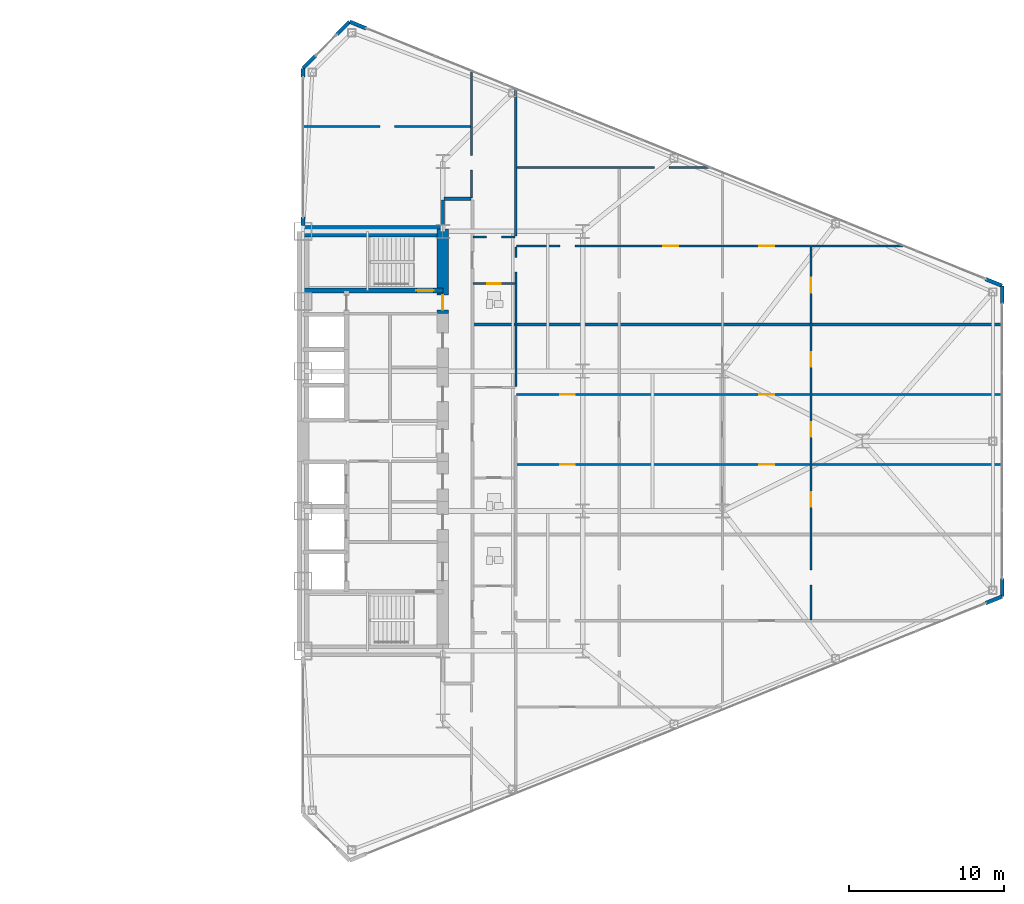
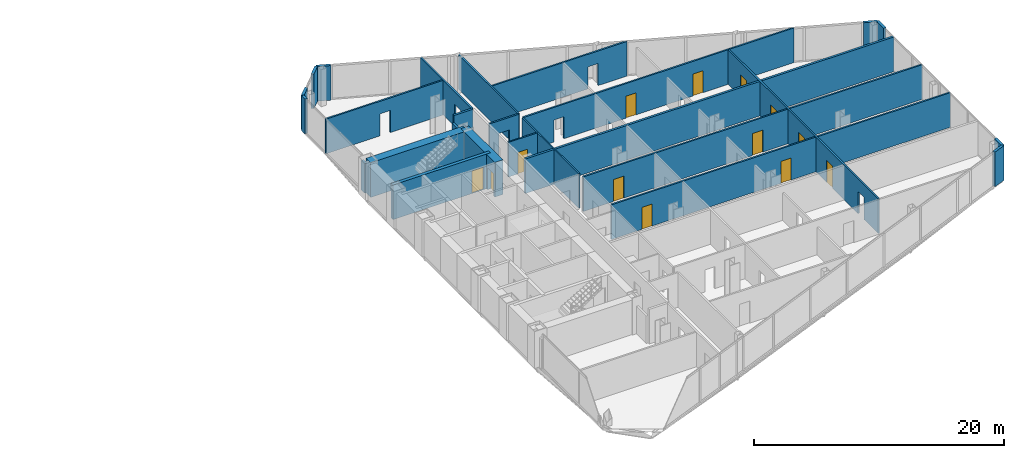
# One storey, part 22 of 25: 26 walls, 13 doors, 20 openings.
"""IFC4 building model written with IfcOpenShell, lengths in metres."""

from ifc_helpers import new_model, si_unit, direction, frame, frame_2d, origin, place, context, subcontext, project, spatial, rectangle, extrude, source, transform, mapped, material, layer, layer_set, type_object, type_shapes, element, fill, save


model = new_model("IFC4")

# Units and contexts
model_context = context("Model", 3, precision=1e-05, world=origin(), true_north=direction((0.0, 1.0)))
body_context = subcontext(model_context, "Body", "Model", "MODEL_VIEW")
ifc_project = project(units=[si_unit("LENGTHUNIT", "METRE"), si_unit("AREAUNIT", "SQUARE_METRE"), si_unit("VOLUMEUNIT", "CUBIC_METRE"), si_unit("PLANEANGLEUNIT", "RADIAN"), si_unit("MASSUNIT", "GRAM", prefix="KILO")], contexts=[model_context])

# Site, building, storey
site_placement = place(None, origin())
site = spatial("IfcSite", under=ifc_project, at=site_placement, CompositionType="ELEMENT")
building_placement = place(site_placement, origin())
building = spatial("IfcBuilding", under=site, at=building_placement, Name="Seokmaru Belvedere", CompositionType="ELEMENT")
storey_placement = place(building_placement, frame((0.0, 0.0, 29.699951171875)))
storey = spatial("IfcBuildingStorey", under=building, at=storey_placement, Name="L07", CompositionType="ELEMENT", Elevation=29.699951171875)

# Wall, openings, doors
ifc_material_1 = material(Name="Fire-Rated Gypsum Shaftwall")
ifc_layer_1 = layer(ifc_material_1, 0.14990234375)
ifc_layer_set_1 = layer_set([ifc_layer_1], Name="Fire-Rated Gypsum Shaftwall")
wall_type_1 = type_object("IfcWallType", Name="Apartment Fire-Acoustic Room Partition 150", PredefinedType="PARTITIONING", material=ifc_layer_set_1)
wall_1_placement = place(storey_placement, frame((41.25, -1.5, 0.0), z_axis=(0.0, 0.0, 1.0), x_axis=(1.0, 0.0, 0.0)))
wall_1 = element("IfcWall", 1, at=wall_1_placement, inside=storey, type_object=wall_type_1, Name="L07 Interior Partition 019", PredefinedType="PARTITIONING", context=body_context, shape_type="SweptSolid", body=[
    extrude(rectangle(XDim=31.284912109375, YDim=0.14990234375, at=frame_2d((15.642578125, 0.0))), origin(), (0.0, 0.0, 1.0), 3.380126953125),
])
opening_1_placement = place(wall_1_placement, frame((2.800048828125, 0.0, 0.0)))
opening_1 = element("IfcOpeningElement", 2, at=opening_1_placement, cuts=wall_1, Name="Opening D05", PredefinedType="OPENING", context=body_context, shape_type="SweptSolid", body=[
    extrude(rectangle(XDim=0.949951171875, YDim=2.14990234375, at=frame_2d((0.47509765625, 1.074951171875))), frame((0.0, 0.0849609375, 0.0), z_axis=(0.0, -1.0, 0.0), x_axis=(1.0, 0.0, 0.0)), (0.0, 0.0, 1.0), 0.169921875),
])
opening_2_placement = place(wall_1_placement, frame((15.625, 0.0, 0.0)))
opening_2 = element("IfcOpeningElement", 3, at=opening_2_placement, cuts=wall_1, Name="Opening D05", PredefinedType="OPENING", context=body_context, shape_type="SweptSolid", body=[
    extrude(rectangle(XDim=0.949951171875, YDim=2.14990234375, at=frame_2d((0.47509765625, 1.074951171875))), frame((0.0, 0.0849609375, 0.0), z_axis=(0.0, -1.0, 0.0), x_axis=(1.0, 0.0, 0.0)), (0.0, 0.0, 1.0), 0.169921875),
])
ifc_material_2 = material(Name="Engineered White Oak Timber", Category="wood")
door_type_1 = type_object("IfcDoorType", Name="Apartment Interior Fire-Rated Oak Door 950x2150", OperationType="NOTDEFINED", PredefinedType="DOOR", material=ifc_material_2)
shared_shape_1 = source(origin(), body_context, "Body", "SweptSolid", [
    extrude(rectangle(XDim=0.949951171875, YDim=2.14990234375, at=frame_2d((0.47509765625, 1.074951171875))), frame((0.0, 0.02490234375, 0.0), z_axis=(0.0, -1.0, 0.0), x_axis=(1.0, 0.0, 0.0)), (0.0, 0.0, 1.0), 0.050048828125),
])
type_shapes(door_type_1, [shared_shape_1])
door_1_placement = place(opening_1_placement, origin())
door_1 = element("IfcDoor", 4, at=door_1_placement, inside=storey, type_object=door_type_1, Name="L07 Interior Door 055", OperationType="SINGLE_SWING_RIGHT", OverallHeight=2.14990234375, OverallWidth=0.949951171875, PredefinedType="DOOR", context=body_context, shape_type="MappedRepresentation", body=[
    mapped(shared_shape_1, transform((0.0, 0.0, 0.0), scale=1.0)),
])
fill(opening_1, door_1)
door_2_placement = place(opening_2_placement, origin())
door_2 = element("IfcDoor", 5, at=door_2_placement, inside=storey, type_object=door_type_1, Name="L07 Interior Door 059", OperationType="SINGLE_SWING_RIGHT", OverallHeight=2.14990234375, OverallWidth=0.949951171875, PredefinedType="DOOR", context=body_context, shape_type="MappedRepresentation", body=[
    mapped(shared_shape_1, transform((0.0, 0.0, 0.0), scale=1.0)),
])
fill(opening_2, door_2)

wall_2_placement = place(storey_placement, frame((41.25, 3.0, 0.0), z_axis=(0.0, 0.0, 1.0), x_axis=(1.0, 0.0, 0.0)))
wall_2 = element("IfcWall", 6, at=wall_2_placement, inside=storey, type_object=wall_type_1, Name="L07 Interior Partition 021", PredefinedType="PARTITIONING", context=body_context, shape_type="SweptSolid", body=[
    extrude(rectangle(XDim=31.284912109375, YDim=0.14990234375, at=frame_2d((15.642578125, 0.0))), origin(), (0.0, 0.0, 1.0), 3.380126953125),
])
opening_3_placement = place(wall_2_placement, frame((2.800048828125, 0.0, 0.0)))
opening_3 = element("IfcOpeningElement", 7, at=opening_3_placement, cuts=wall_2, Name="Opening D05", PredefinedType="OPENING", context=body_context, shape_type="SweptSolid", body=[
    extrude(rectangle(XDim=0.949951171875, YDim=2.14990234375, at=frame_2d((0.47509765625, 1.074951171875))), frame((0.0, 0.0849609375, 0.0), z_axis=(0.0, -1.0, 0.0), x_axis=(1.0, 0.0, 0.0)), (0.0, 0.0, 1.0), 0.169921875),
])
opening_4_placement = place(wall_2_placement, frame((15.625, 0.0, 0.0)))
opening_4 = element("IfcOpeningElement", 8, at=opening_4_placement, cuts=wall_2, Name="Opening D05", PredefinedType="OPENING", context=body_context, shape_type="SweptSolid", body=[
    extrude(rectangle(XDim=0.949951171875, YDim=2.14990234375, at=frame_2d((0.47509765625, 1.074951171875))), frame((0.0, 0.0849609375, 0.0), z_axis=(0.0, -1.0, 0.0), x_axis=(1.0, 0.0, 0.0)), (0.0, 0.0, 1.0), 0.169921875),
])
door_3_placement = place(opening_3_placement, origin())
door_3 = element("IfcDoor", 9, at=door_3_placement, inside=storey, type_object=door_type_1, Name="L07 Interior Door 057", OperationType="SINGLE_SWING_LEFT", OverallHeight=2.14990234375, OverallWidth=0.949951171875, PredefinedType="DOOR", context=body_context, shape_type="MappedRepresentation", body=[
    mapped(shared_shape_1, transform((0.0, 0.0, 0.0), scale=1.0)),
])
fill(opening_3, door_3)
door_4_placement = place(opening_4_placement, origin())
door_4 = element("IfcDoor", 10, at=door_4_placement, inside=storey, type_object=door_type_1, Name="L07 Interior Door 062", OperationType="SINGLE_SWING_RIGHT", OverallHeight=2.14990234375, OverallWidth=0.949951171875, PredefinedType="DOOR", context=body_context, shape_type="MappedRepresentation", body=[
    mapped(shared_shape_1, transform((0.0, 0.0, 0.0), scale=1.0)),
])
fill(opening_4, door_4)

wall_3_placement = place(storey_placement, frame((41.25, 12.56005859375, 0.0), z_axis=(0.0, 0.0, 1.0), x_axis=(1.0, 0.0, 0.0)))
wall_3 = element("IfcWall", 11, at=wall_3_placement, inside=storey, type_object=wall_type_1, Name="L07 Interior Partition 029", PredefinedType="PARTITIONING", context=body_context, shape_type="SweptSolid", body=[
    extrude(rectangle(XDim=24.968994140625, YDim=0.14990234375, at=frame_2d((12.484375, 0.0))), origin(), (0.0, 0.0, 1.0), 3.380126953125),
])
opening_5_placement = place(wall_3_placement, frame((2.800048828125, 0.0, 0.0)))
element("IfcOpeningElement", 12, at=opening_5_placement, cuts=wall_3, Name="L07 Cased Opening 071", PredefinedType="OPENING", context=body_context, shape_type="SweptSolid", body=[
    extrude(rectangle(XDim=0.949951171875, YDim=2.14990234375, at=frame_2d((0.47509765625, 1.074951171875))), frame((0.0, 0.0849609375, 0.0), z_axis=(0.0, -1.0, 0.0), x_axis=(1.0, 0.0, 0.0)), (0.0, 0.0, 1.0), 0.169921875),
])
opening_6_placement = place(wall_3_placement, frame((15.625, 0.0, 0.0)))
opening_6 = element("IfcOpeningElement", 13, at=opening_6_placement, cuts=wall_3, Name="Opening D05", PredefinedType="OPENING", context=body_context, shape_type="SweptSolid", body=[
    extrude(rectangle(XDim=0.949951171875, YDim=2.14990234375, at=frame_2d((0.47509765625, 1.074951171875))), frame((0.0, 0.0849609375, 0.0), z_axis=(0.0, -1.0, 0.0), x_axis=(1.0, 0.0, 0.0)), (0.0, 0.0, 1.0), 0.169921875),
])
opening_7_placement = place(wall_3_placement, frame((9.449951171875, 0.0, 0.0)))
opening_7 = element("IfcOpeningElement", 14, at=opening_7_placement, cuts=wall_3, Name="Opening D05", PredefinedType="OPENING", context=body_context, shape_type="SweptSolid", body=[
    extrude(rectangle(XDim=0.949951171875, YDim=2.14990234375, at=frame_2d((0.47509765625, 1.074951171875))), frame((0.0, 0.0849609375, 0.0), z_axis=(0.0, -1.0, 0.0), x_axis=(1.0, 0.0, 0.0)), (0.0, 0.0, 1.0), 0.169921875),
])
door_5_placement = place(opening_6_placement, origin())
door_5 = element("IfcDoor", 15, at=door_5_placement, inside=storey, type_object=door_type_1, Name="L07 Interior Door 074", OperationType="SINGLE_SWING_LEFT", OverallHeight=2.14990234375, OverallWidth=0.949951171875, PredefinedType="DOOR", context=body_context, shape_type="MappedRepresentation", body=[
    mapped(shared_shape_1, transform((0.0, 0.0, 0.0), scale=1.0)),
])
fill(opening_6, door_5)
door_6_placement = place(opening_7_placement, origin())
door_6 = element("IfcDoor", 16, at=door_6_placement, inside=storey, type_object=door_type_1, Name="L07 Interior Door 075", OperationType="SINGLE_SWING_LEFT", OverallHeight=2.14990234375, OverallWidth=0.949951171875, PredefinedType="DOOR", context=body_context, shape_type="MappedRepresentation", body=[
    mapped(shared_shape_1, transform((0.0, 0.0, 0.0), scale=1.0)),
])
fill(opening_7, door_6)

# Wall, opening
wall_4_placement = place(storey_placement, frame((38.449951171875, 13.139892578125, 0.0), z_axis=(0.0, 0.0, 1.0), x_axis=(1.0, 0.0, 0.0)))
wall_4 = element("IfcWall", 17, at=wall_4_placement, inside=storey, type_object=wall_type_1, Name="L07 Interior Partition 030", PredefinedType="PARTITIONING", context=body_context, shape_type="SweptSolid", body=[
    extrude(rectangle(XDim=2.699951171875, YDim=0.14990234375, at=frame_2d((1.35009765625, 0.0))), origin(), (0.0, 0.0, 1.0), 3.380126953125),
])
opening_8_placement = place(wall_4_placement, frame((0.875, 0.0, 0.0)))
element("IfcOpeningElement", 18, at=opening_8_placement, cuts=wall_4, Name="L07 Cased Opening 068", PredefinedType="OPENING", context=body_context, shape_type="SweptSolid", body=[
    extrude(rectangle(XDim=0.949951171875, YDim=2.14990234375, at=frame_2d((0.47509765625, 1.074951171875))), frame((0.0, 0.0849609375, 0.0), z_axis=(0.0, -1.0, 0.0), x_axis=(1.0, 0.0, 0.0)), (0.0, 0.0, 1.0), 0.169921875),
])

wall_5_placement = place(storey_placement, frame((41.25, 17.610107421875, 0.0), z_axis=(0.0, 0.0, 1.0), x_axis=(1.0, 0.0, 0.0)))
wall_5 = element("IfcWall", 19, at=wall_5_placement, inside=storey, type_object=wall_type_1, Name="L07 Interior Partition 036", PredefinedType="PARTITIONING", context=body_context, shape_type="SweptSolid", body=[
    extrude(rectangle(XDim=12.47705078125, YDim=0.14990234375, at=frame_2d((6.238525390625, 0.0))), origin(), (0.0, 0.0, 1.0), 3.380126953125),
])
opening_9_placement = place(wall_5_placement, frame((8.859619140625, 0.0, 0.0)))
element("IfcOpeningElement", 20, at=opening_9_placement, cuts=wall_5, Name="L07 Cased Opening 076", PredefinedType="OPENING", context=body_context, shape_type="SweptSolid", body=[
    extrude(rectangle(XDim=0.949951171875, YDim=2.14990234375, at=frame_2d((0.47509765625, 1.074951171875))), frame((0.0, 0.0849609375, 0.0), z_axis=(0.0, -1.0, 0.0), x_axis=(1.0, 0.0, 0.0)), (0.0, 0.0, 1.0), 0.169921875),
])

wall_6_placement = place(storey_placement, frame((27.465087890625, 20.25, 0.0), z_axis=(0.0, 0.0, 1.0), x_axis=(1.0, 0.0, 0.0)))
wall_6 = element("IfcWall", 21, at=wall_6_placement, inside=storey, type_object=wall_type_1, Name="L07 Interior Partition 038", PredefinedType="PARTITIONING", context=body_context, shape_type="SweptSolid", body=[
    extrude(rectangle(XDim=10.8349609375, YDim=0.14990234375, at=frame_2d((5.41748046875, 0.0))), origin(), (0.0, 0.0, 1.0), 3.380126953125),
])
opening_10_placement = place(wall_6_placement, frame((4.985107421875, 0.0, 0.0)))
element("IfcOpeningElement", 22, at=opening_10_placement, cuts=wall_6, Name="L07 Cased Opening 078", PredefinedType="OPENING", context=body_context, shape_type="SweptSolid", body=[
    extrude(rectangle(XDim=0.949951171875, YDim=2.14990234375, at=frame_2d((0.47509765625, 1.074951171875))), frame((0.0, 0.0849609375, 0.0), z_axis=(0.0, -1.0, 0.0), x_axis=(1.0, 0.0, 0.0)), (0.0, 0.0, 1.0), 0.169921875),
])

wall_7_placement = place(storey_placement, frame((38.35009765625, 15.64990234375, 0.0), z_axis=(0.0, 0.0, 1.0), x_axis=(0.0, 1.0, 0.0)))
wall_7 = element("IfcWall", 23, at=wall_7_placement, inside=storey, type_object=wall_type_1, Name="L07 Interior Partition 053", PredefinedType="PARTITIONING", context=body_context, shape_type="SweptSolid", body=[
    extrude(rectangle(XDim=8.2080078125, YDim=0.14990234375, at=frame_2d((4.10400390625, 0.0))), origin(), (0.0, 0.0, 1.0), 3.380126953125),
])
opening_11_placement = place(wall_7_placement, frame((1.800048828125, 0.0, 0.0)))
element("IfcOpeningElement", 24, at=opening_11_placement, cuts=wall_7, Name="L07 Cased Opening 077", PredefinedType="OPENING", context=body_context, shape_type="SweptSolid", body=[
    extrude(rectangle(XDim=0.949951171875, YDim=2.14990234375, at=frame_2d((0.47509765625, 1.074951171875))), frame((0.0, 0.0849609375, 0.0), z_axis=(0.0, -1.0, 0.0), x_axis=(1.0, 0.0, 0.0)), (0.0, 0.0, 1.0), 0.169921875),
])

# Wall
wall_8_placement = place(storey_placement, frame((41.199951171875, 13.195068359375, 0.0), z_axis=(0.0, 0.0, 1.0), x_axis=(0.0, 1.0, 0.0)))
element("IfcWall", 25, at=wall_8_placement, inside=storey, type_object=wall_type_1, Name="L07 Interior Partition 058", PredefinedType="PARTITIONING", context=body_context, shape_type="SweptSolid", body=[
    extrude(rectangle(XDim=9.509033203125, YDim=0.14990234375, at=frame_2d((4.75439453125, 0.0))), origin(), (0.0, 0.0, 1.0), 3.380126953125),
])

# Wall, openings, doors
wall_9_placement = place(storey_placement, frame((60.199951171875, -11.506103515625, 0.0), z_axis=(0.0, 0.0, 1.0), x_axis=(0.0, 1.0, 0.0)))
wall_9 = element("IfcWall", 26, at=wall_9_placement, inside=storey, type_object=wall_type_1, Name="L07 Interior Partition 061", PredefinedType="PARTITIONING", context=body_context, shape_type="SweptSolid", body=[
    extrude(rectangle(XDim=24.01220703125, YDim=0.14990234375, at=frame_2d((12.006103515625, 0.0))), origin(), (0.0, 0.0, 1.0), 3.380126953125),
])
opening_12_placement = place(wall_9_placement, frame((2.2529296875, 0.0, 0.0)))
element("IfcOpeningElement", 27, at=opening_12_placement, cuts=wall_9, Name="L07 Cased Opening 046", PredefinedType="OPENING", context=body_context, shape_type="SweptSolid", body=[
    extrude(rectangle(XDim=0.949951171875, YDim=2.14990234375, at=frame_2d((0.47509765625, 1.074951171875))), frame((0.0, 0.0849609375, 0.0), z_axis=(0.0, -1.0, 0.0), x_axis=(1.0, 0.0, 0.0)), (0.0, 0.0, 1.0), 0.169921875),
])
opening_13_placement = place(wall_9_placement, frame((7.281005859375, 0.0, 0.0)))
opening_13 = element("IfcOpeningElement", 28, at=opening_13_placement, cuts=wall_9, Name="Opening D05", PredefinedType="OPENING", context=body_context, shape_type="SweptSolid", body=[
    extrude(rectangle(XDim=0.949951171875, YDim=2.14990234375, at=frame_2d((0.47509765625, 1.074951171875))), frame((0.0, 0.0849609375, 0.0), z_axis=(0.0, -1.0, 0.0), x_axis=(1.0, 0.0, 0.0)), (0.0, 0.0, 1.0), 0.169921875),
])
opening_14_placement = place(wall_9_placement, frame((11.781005859375, 0.0, 0.0)))
opening_14 = element("IfcOpeningElement", 29, at=opening_14_placement, cuts=wall_9, Name="Opening D05", PredefinedType="OPENING", context=body_context, shape_type="SweptSolid", body=[
    extrude(rectangle(XDim=0.949951171875, YDim=2.14990234375, at=frame_2d((0.47509765625, 1.074951171875))), frame((0.0, 0.0849609375, 0.0), z_axis=(0.0, -1.0, 0.0), x_axis=(1.0, 0.0, 0.0)), (0.0, 0.0, 1.0), 0.169921875),
])
opening_15_placement = place(wall_9_placement, frame((16.281005859375, 0.0, 0.0)))
opening_15 = element("IfcOpeningElement", 30, at=opening_15_placement, cuts=wall_9, Name="Opening D05", PredefinedType="OPENING", context=body_context, shape_type="SweptSolid", body=[
    extrude(rectangle(XDim=0.949951171875, YDim=2.14990234375, at=frame_2d((0.47509765625, 1.074951171875))), frame((0.0, 0.0849609375, 0.0), z_axis=(0.0, -1.0, 0.0), x_axis=(1.0, 0.0, 0.0)), (0.0, 0.0, 1.0), 0.169921875),
])
opening_16_placement = place(wall_9_placement, frame((21.05908203125, 0.0, 0.0)))
opening_16 = element("IfcOpeningElement", 31, at=opening_16_placement, cuts=wall_9, Name="Opening D05", PredefinedType="OPENING", context=body_context, shape_type="SweptSolid", body=[
    extrude(rectangle(XDim=0.949951171875, YDim=2.14990234375, at=frame_2d((0.47509765625, 1.074951171875))), frame((0.0, 0.0849609375, 0.0), z_axis=(0.0, -1.0, 0.0), x_axis=(1.0, 0.0, 0.0)), (0.0, 0.0, 1.0), 0.169921875),
])
door_7_placement = place(opening_13_placement, origin())
door_7 = element("IfcDoor", 32, at=door_7_placement, inside=storey, type_object=door_type_1, Name="L07 Interior Door 060", OperationType="SINGLE_SWING_LEFT", OverallHeight=2.14990234375, OverallWidth=0.949951171875, PredefinedType="DOOR", context=body_context, shape_type="MappedRepresentation", body=[
    mapped(shared_shape_1, transform((0.0, 0.0, 0.0), scale=1.0)),
])
fill(opening_13, door_7)
door_8_placement = place(opening_14_placement, origin())
door_8 = element("IfcDoor", 33, at=door_8_placement, inside=storey, type_object=door_type_1, Name="L07 Interior Door 061", OperationType="SINGLE_SWING_LEFT", OverallHeight=2.14990234375, OverallWidth=0.949951171875, PredefinedType="DOOR", context=body_context, shape_type="MappedRepresentation", body=[
    mapped(shared_shape_1, transform((0.0, 0.0, 0.0), scale=1.0)),
])
fill(opening_14, door_8)
door_9_placement = place(opening_15_placement, origin())
door_9 = element("IfcDoor", 34, at=door_9_placement, inside=storey, type_object=door_type_1, Name="L07 Interior Door 063", OperationType="SINGLE_SWING_LEFT", OverallHeight=2.14990234375, OverallWidth=0.949951171875, PredefinedType="DOOR", context=body_context, shape_type="MappedRepresentation", body=[
    mapped(shared_shape_1, transform((0.0, 0.0, 0.0), scale=1.0)),
])
fill(opening_15, door_9)
door_10_placement = place(opening_16_placement, origin())
door_10 = element("IfcDoor", 35, at=door_10_placement, inside=storey, type_object=door_type_1, Name="L07 Interior Door 073", OperationType="SINGLE_SWING_LEFT", OverallHeight=2.14990234375, OverallWidth=0.949951171875, PredefinedType="DOOR", context=body_context, shape_type="MappedRepresentation", body=[
    mapped(shared_shape_1, transform((0.0, 0.0, 0.0), scale=1.0)),
])
fill(opening_16, door_10)

# Walls
ifc_layer_2 = layer(ifc_material_1, 0.199951171875)
ifc_layer_set_2 = layer_set([ifc_layer_2], Name="Fire-Rated Gypsum Shaftwall")
wall_type_2 = type_object("IfcWallType", Name="Inter-Tenancy Fire Compartment Partition 200", PredefinedType="PARTITIONING", material=ifc_layer_set_2)
wall_10_placement = place(storey_placement, frame((38.47998046875, 7.5, 0.0), z_axis=(0.0, 0.0, 1.0), x_axis=(1.0, 0.0, 0.0)))
element("IfcWall", 36, at=wall_10_placement, inside=storey, type_object=wall_type_2, Name="L07 Interior Partition 025", PredefinedType="PARTITIONING", context=body_context, shape_type="SweptSolid", body=[
    extrude(rectangle(XDim=34.02490234375, YDim=0.199951171875, at=frame_2d((17.012451171875, 0.0))), origin(), (0.0, 0.0, 1.0), 3.380126953125),
])
wall_11_placement = place(storey_placement, frame((36.5849609375, 15.60009765625, 0.0), z_axis=(0.0, 0.0, 1.0), x_axis=(1.0, 0.0, 0.0)))
element("IfcWall", 37, at=wall_11_placement, inside=storey, type_object=wall_type_2, Name="L07 Interior Partition 033", PredefinedType="PARTITIONING", context=body_context, shape_type="SweptSolid", body=[
    extrude(rectangle(XDim=1.72998046875, YDim=0.199951171875, at=frame_2d((0.864990234375, 0.0))), origin(), (0.0, 0.0, 1.0), 3.380126953125),
])
wall_12_placement = place(storey_placement, frame((36.5, 13.8798828125, 0.0), z_axis=(0.0, 0.0, 1.0), x_axis=(0.0, 1.0, 0.0)))
element("IfcWall", 38, at=wall_12_placement, inside=storey, type_object=wall_type_2, Name="L07 Interior Partition 051", PredefinedType="PARTITIONING", context=body_context, shape_type="SweptSolid", body=[
    extrude(rectangle(XDim=1.635009765625, YDim=0.199951171875, at=frame_2d((0.8173828125, 0.0))), origin(), (0.0, 0.0, 1.0), 2.679931640625),
])

# Wall, opening, door
ifc_material_3 = material(Name="Concrete C50 (50 MPa)", Category="concrete")
ifc_layer_3 = layer(ifc_material_3, 0.300048828125)
ifc_layer_set_3 = layer_set([ifc_layer_3], Name="Concrete C50 (50 MPa)")
wall_type_3 = type_object("IfcWallType", Name="Internal Core Stair and Hoistway Wall 300", PredefinedType="SHEAR", material=ifc_layer_set_3)
wall_13_placement = place(storey_placement, frame((27.5, 9.699951171875, 0.0), z_axis=(0.0, 0.0, 1.0), x_axis=(1.0, 0.0, 0.0)))
wall_13 = element("IfcWall", 39, at=wall_13_placement, inside=storey, type_object=wall_type_3, Name="L07 East Stair ST-2 Enclosure Wall", PredefinedType="SHEAR", context=body_context, shape_type="SweptSolid", body=[
    extrude(rectangle(XDim=9.0, YDim=0.300048828125, at=frame_2d((4.5, 0.0))), origin(), (0.0, 0.0, 1.0), 3.380126953125),
])
opening_17_placement = place(wall_13_placement, frame((7.300048828125, 0.0, 0.0)))
opening_17 = element("IfcOpeningElement", 40, at=opening_17_placement, cuts=wall_13, Name="Opening D01", PredefinedType="OPENING", context=body_context, shape_type="SweptSolid", body=[
    extrude(rectangle(XDim=1.10009765625, YDim=2.199951171875, at=frame_2d((0.550048828125, 1.10009765625))), frame((0.0, 0.16015625, 0.0), z_axis=(0.0, -1.0, 0.0), x_axis=(1.0, 0.0, 0.0)), (0.0, 0.0, 1.0), 0.320068359375),
])
ifc_material_4 = material(Name="Fire-Rated Steel Leaf", Category="steel")
door_type_2 = type_object("IfcDoorType", Name="Special Escape Stair Smokeproof Fire Door 1100x2200", OperationType="NOTDEFINED", PredefinedType="DOOR", material=ifc_material_4)
shared_shape_2 = source(origin(), body_context, "Body", "SweptSolid", [
    extrude(rectangle(XDim=1.10009765625, YDim=2.199951171875, at=frame_2d((0.550048828125, 1.10009765625))), frame((0.0, 0.02490234375, 0.0), z_axis=(0.0, -1.0, 0.0), x_axis=(1.0, 0.0, 0.0)), (0.0, 0.0, 1.0), 0.050048828125),
])
type_shapes(door_type_2, [shared_shape_2])
door_11_placement = place(opening_17_placement, origin())
door_11 = element("IfcDoor", 41, at=door_11_placement, inside=storey, type_object=door_type_2, Name="L07 East Special Escape Stair ST-2 Door", OperationType="SINGLE_SWING_LEFT", OverallHeight=2.199951171875, OverallWidth=1.10009765625, PredefinedType="DOOR", context=body_context, shape_type="MappedRepresentation", body=[
    mapped(shared_shape_2, transform((0.0, 0.0, 0.0), scale=1.0)),
])
fill(opening_17, door_11)

# Wall
ifc_material_5 = material(Name="Concrete C60 (60 MPa)", Category="concrete")
ifc_layer_4 = layer(ifc_material_5, 0.75)
ifc_layer_set_4 = layer_set([ifc_layer_4], Name="Concrete C60 (60 MPa)")
wall_type_4 = type_object("IfcWallType", Name="Lower Tower Reinforced Concrete Core Wall 750", PredefinedType="SHEAR", material=ifc_layer_set_4)
wall_14_placement = place(storey_placement, frame((27.5, 13.5, 0.0), z_axis=(0.0, 0.0, 1.0), x_axis=(1.0, 0.0, 0.0)))
element("IfcWall", 42, at=wall_14_placement, inside=storey, type_object=wall_type_4, Name="L07 East North Core Wall", PredefinedType="SHEAR", context=body_context, shape_type="SweptSolid", body=[
    extrude(rectangle(XDim=9.0, YDim=0.75, at=frame_2d((4.5, 0.0))), origin(), (0.0, 0.0, 1.0), 3.380126953125),
])

# Wall, opening, door
wall_15_placement = place(storey_placement, frame((36.5, 8.199951171875, 0.0), z_axis=(0.0, 0.0, 1.0), x_axis=(0.0, 1.0, 0.0)))
wall_15 = element("IfcWall", 43, at=wall_15_placement, inside=storey, type_object=wall_type_4, Name="L07 East West Core Wall VST", PredefinedType="SHEAR", context=body_context, shape_type="SweptSolid", body=[
    extrude(rectangle(XDim=5.449951171875, YDim=0.75, at=frame_2d((2.72509765625, 0.0))), origin(), (0.0, 0.0, 1.0), 3.380126953125),
])
opening_18_placement = place(wall_15_placement, frame((0.2451171875, 0.0, 0.0)))
opening_18 = element("IfcOpeningElement", 44, at=opening_18_placement, cuts=wall_15, Name="Opening D04", PredefinedType="OPENING", context=body_context, shape_type="SweptSolid", body=[
    extrude(rectangle(XDim=0.949951171875, YDim=2.14990234375, at=frame_2d((0.47509765625, 1.074951171875))), frame((0.0, 0.385009765625, 0.0), z_axis=(0.0, -1.0, 0.0), x_axis=(1.0, 0.0, 0.0)), (0.0, 0.0, 1.0), 0.77001953125),
])
door_type_3 = type_object("IfcDoorType", Name="Core Service Room Fire Door 950x2150", OperationType="NOTDEFINED", PredefinedType="DOOR", material=ifc_material_4)
shared_shape_3 = source(origin(), body_context, "Body", "SweptSolid", [
    extrude(rectangle(XDim=0.949951171875, YDim=2.14990234375, at=frame_2d((0.47509765625, 1.074951171875))), frame((0.0, 0.02490234375, 0.0), z_axis=(0.0, -1.0, 0.0), x_axis=(1.0, 0.0, 0.0)), (0.0, 0.0, 1.0), 0.050048828125),
])
type_shapes(door_type_3, [shared_shape_3])
door_12_placement = place(opening_18_placement, origin())
door_12 = element("IfcDoor", 45, at=door_12_placement, inside=storey, type_object=door_type_3, Name="L07 East Smokeproof Vestibule Door", OperationType="SINGLE_SWING_LEFT", OverallHeight=2.14990234375, OverallWidth=0.949951171875, PredefinedType="DOOR", context=body_context, shape_type="MappedRepresentation", body=[
    mapped(shared_shape_3, transform((0.0, 0.0, 0.0), scale=1.0)),
])
fill(opening_18, door_12)

ifc_layer_5 = layer(ifc_material_1, 0.1298828125)
ifc_layer_set_5 = layer_set([ifc_layer_5], Name="Fire-Rated Gypsum Shaftwall")
wall_type_5 = type_object("IfcWallType", Name="Moisture-Resistant Fire-Rated Bathroom Partition 130", PredefinedType="PARTITIONING", material=ifc_layer_set_5)
wall_16_placement = place(storey_placement, frame((38.449951171875, 10.139892578125, 0.0), z_axis=(0.0, 0.0, 1.0), x_axis=(1.0, 0.0, 0.0)))
wall_16 = element("IfcWall", 46, at=wall_16_placement, inside=storey, type_object=wall_type_5, Name="L07 Interior Partition 027", PredefinedType="PARTITIONING", context=body_context, shape_type="SweptSolid", body=[
    extrude(rectangle(XDim=2.699951171875, YDim=0.1298828125, at=frame_2d((1.35009765625, 0.0))), origin(), (0.0, 0.0, 1.0), 3.380126953125),
])
opening_19_placement = place(wall_16_placement, frame((0.909912109375, 0.0, 0.0)))
opening_19 = element("IfcOpeningElement", 47, at=opening_19_placement, cuts=wall_16, Name="Opening D06", PredefinedType="OPENING", context=body_context, shape_type="SweptSolid", body=[
    extrude(rectangle(XDim=0.8798828125, YDim=2.10009765625, at=frame_2d((0.43994140625, 1.050048828125))), frame((0.0, 0.074951171875, 0.0), z_axis=(0.0, -1.0, 0.0), x_axis=(1.0, 0.0, 0.0)), (0.0, 0.0, 1.0), 0.14990234375),
])
door_type_4 = type_object("IfcDoorType", Name="Bathroom and Restroom Fire-Rated Door 880x2100", OperationType="NOTDEFINED", PredefinedType="DOOR", material=ifc_material_2)
shared_shape_4 = source(origin(), body_context, "Body", "SweptSolid", [
    extrude(rectangle(XDim=0.8798828125, YDim=2.10009765625, at=frame_2d((0.43994140625, 1.050048828125))), frame((0.0, 0.02490234375, 0.0), z_axis=(0.0, -1.0, 0.0), x_axis=(1.0, 0.0, 0.0)), (0.0, 0.0, 1.0), 0.050048828125),
])
type_shapes(door_type_4, [shared_shape_4])
door_13_placement = place(opening_19_placement, origin())
door_13 = element("IfcDoor", 48, at=door_13_placement, inside=storey, type_object=door_type_4, Name="L07 Interior Door 067", OperationType="SINGLE_SWING_RIGHT", OverallHeight=2.10009765625, OverallWidth=0.8798828125, PredefinedType="DOOR", context=body_context, shape_type="MappedRepresentation", body=[
    mapped(shared_shape_4, transform((0.0, 0.0, 0.0), scale=1.0)),
])
fill(opening_19, door_13)

# Wall, opening
wall_17_placement = place(storey_placement, frame((41.199951171875, 3.501953125, 0.0), z_axis=(0.0, 0.0, 1.0), x_axis=(0.0, 1.0, 0.0)))
wall_17 = element("IfcWall", 49, at=wall_17_placement, inside=storey, type_object=wall_type_5, Name="L07 Interior Partition 057", PredefinedType="PARTITIONING", context=body_context, shape_type="SweptSolid", body=[
    extrude(rectangle(XDim=9.004150390625, YDim=0.1298828125, at=frame_2d((4.501953125, 0.0))), origin(), (0.0, 0.0, 1.0), 3.380126953125),
])
opening_20_placement = place(wall_17_placement, frame((7.373779296875, 0.0, 0.0)))
element("IfcOpeningElement", 50, at=opening_20_placement, cuts=wall_17, Name="L07 Cased Opening 069", PredefinedType="OPENING", context=body_context, shape_type="SweptSolid", body=[
    extrude(rectangle(XDim=0.949951171875, YDim=2.14990234375, at=frame_2d((0.47509765625, 1.074951171875))), frame((0.0, 0.074951171875, 0.0), z_axis=(0.0, -1.0, 0.0), x_axis=(1.0, 0.0, 0.0)), (0.0, 0.0, 1.0), 0.14990234375),
])

# Walls
ifc_material_6 = material(Name="Anodised Bronze Aluminium", Category="aluminium")
ifc_layer_6 = layer(ifc_material_6, 0.239990234375)
ifc_layer_set_6 = layer_set([ifc_layer_6], Name="Anodised Bronze Aluminium")
wall_type_6 = type_object("IfcWallType", Name="Tower Corner Spandrel Closure Wall 240", PredefinedType="SOLIDWALL", material=ifc_layer_set_6)
for number, where, z_axis, x_axis, name in (
    (51, (71.43408203125, -10.431396484375, 0.0), (0.0, 0.0, 1.0), (0.927007103665, 0.375043770452, 0.0), "L07 E Corner Closure Pier 1B"),
    (52, (72.5, -9.989990234375, 0.0), (0.0, 0.0, 1.0), (0.0, 1.0, 0.0), "L07 E Corner Closure Pier 2A"),
    (53, (72.5, 8.85009765625, 0.0), (0.0, 0.0, 1.0), (0.0, 1.0, 0.0), "L07 E Corner Closure Pier 2B"),
    (54, (72.49072265625, 10.00390625, 0.0), (0.0, 0.0, 1.0), (-0.927007103665, 0.375043770452, 0.0), "L07 E Corner Closure Pier 3A"),
    (55, (31.56591796875, 26.568603515625, 0.0), (0.0, 0.0, 1.0), (-0.927007103665, 0.375043770452, 0.0), "L07 E Corner Closure Pier 3B"),
):
    element("IfcWall", number, at=place(storey_placement, frame(where, z_axis=z_axis, x_axis=x_axis)), inside=storey, type_object=wall_type_6, Name=name, PredefinedType="SOLIDWALL", context=body_context, shape_type="SweptSolid", body=[
        extrude(rectangle(XDim=1.139892578125, YDim=0.239990234375, at=frame_2d((0.56982421875, 0.0))), origin(), (0.0, 0.0, 1.0), 3.380126953125),
    ])
for number, where, z_axis, x_axis, name in (
    (56, (30.492919921875, 26.992919921875, 0.0), (0.0, 0.0, 1.0), (-0.707106781187, -0.707106781187, 0.0), "L07 E Corner Closure Pier 4A"),
    (57, (28.313232421875, 24.813232421875, 0.0), (0.0, 0.0, 1.0), (-0.707106781187, -0.707106781187, 0.0), "L07 E Corner Closure Pier 4B"),
):
    element("IfcWall", number, at=place(storey_placement, frame(where, z_axis=z_axis, x_axis=x_axis)), inside=storey, type_object=wall_type_6, Name=name, PredefinedType="SOLIDWALL", context=body_context, shape_type="SweptSolid", body=[
        extrude(rectangle(XDim=1.14013671875, YDim=0.239990234375, at=frame_2d((0.570068359375, 0.0))), origin(), (0.0, 0.0, 1.0), 3.380126953125),
    ])
wall_18_placement = place(storey_placement, frame((27.5, 13.8798828125, 0.0), z_axis=(0.0, 0.0, 1.0), x_axis=(0.0, 1.0, 0.0)))
element("IfcWall", 58, at=wall_18_placement, inside=storey, type_object=wall_type_6, Name="L07 E Spine Closure Pier 2A", PredefinedType="SOLIDWALL", context=body_context, shape_type="SweptSolid", body=[
    extrude(rectangle(XDim=0.550048828125, YDim=0.239990234375, at=frame_2d((0.27490234375, 0.0))), origin(), (0.0, 0.0, 1.0), 2.880126953125),
])
wall_19_placement = place(storey_placement, frame((27.5, 23.429931640625, 0.0), z_axis=(0.0, 0.0, 1.0), x_axis=(0.0, 1.0, 0.0)))
element("IfcWall", 59, at=wall_19_placement, inside=storey, type_object=wall_type_6, Name="L07 E Spine Closure Pier 2B", PredefinedType="SOLIDWALL", context=body_context, shape_type="SweptSolid", body=[
    extrude(rectangle(XDim=0.550048828125, YDim=0.239990234375, at=frame_2d((0.27490234375, 0.0))), origin(), (0.0, 0.0, 1.0), 3.380126953125),
])

save(model, "model.ifc")
